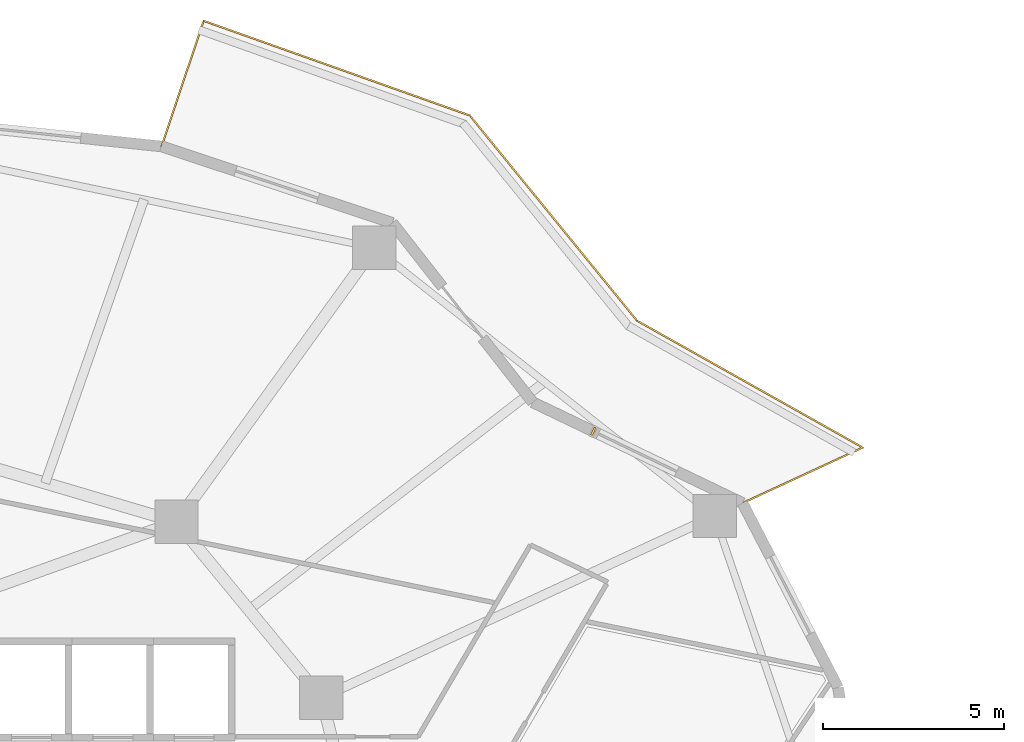
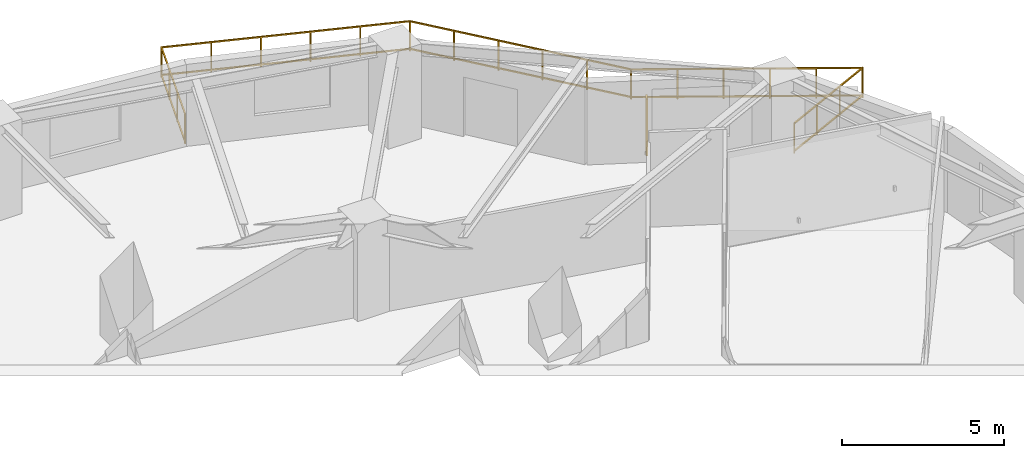
# One storey, part 14 of 14: 1 railing, 1 shading device.
"""IFC4 building model written with IfcOpenShell, lengths in metres."""

from ifc_helpers import new_model, si_unit, direction, frame, origin, origin_2d, place, context, subcontext, project, spatial, rectangle, extrude, material, type_object, element, save


model = new_model("IFC4")

# Units and contexts
model_context = context("Model", 3, precision=1e-05, world=origin(), true_north=direction((0.0, 1.0)))
body_context = subcontext(model_context, "Body", "Model", "MODEL_VIEW")
ifc_project = project(units=[si_unit("LENGTHUNIT", "METRE"), si_unit("AREAUNIT", "SQUARE_METRE"), si_unit("VOLUMEUNIT", "CUBIC_METRE"), si_unit("PLANEANGLEUNIT", "RADIAN"), si_unit("MASSUNIT", "GRAM", prefix="KILO")], contexts=[model_context])

# Site, building, storey
site_placement = place(None, origin())
site = spatial("IfcSite", under=ifc_project, at=site_placement, CompositionType="ELEMENT")
building_placement = place(site_placement, origin())
building = spatial("IfcBuilding", under=site, at=building_placement, Name="Kolvaren Gate Tower and Convention Centre", CompositionType="ELEMENT")
storey_placement = place(building_placement, frame((0.0, 0.0, 57.300048828125)))
storey = spatial("IfcBuildingStorey", under=building, at=storey_placement, Name="L13", CompositionType="ELEMENT", Elevation=57.300048828125)

# Railing
ifc_material_1 = material(Name="Brushed Stainless Steel Grade 316L", Category="steel")
railing_type = type_object("IfcRailingType", Name="ARCH-RL-GUARD-1150", PredefinedType="GUARDRAIL", material=ifc_material_1)
railing_placement = place(storey_placement, frame((53.0205078125, 37.574951171875, 0.0)))
element("IfcRailing", 1, at=railing_placement, inside=storey, type_object=railing_type, Name="Tower L13 Terrace Perimeter Guardrail GR-1", PredefinedType="GUARDRAIL", context=body_context, shape_type="SweptSolid", body=[
    extrude(rectangle(XDim=0.048095703125, YDim=0.048095703125, at=origin_2d()), frame((0.025390625, 0.01171875, 1.1259765625), z_axis=(0.907846116663, 0.419303503993, 0.0), x_axis=(-0.419303503993, 0.907846116663, 0.0)), (0.0, 0.0, 1.0), 3.60400390625),
    extrude(rectangle(XDim=0.048095703125, YDim=0.048095703125, at=origin_2d()), frame((0.025390625, 0.01171875, 0.083984375), z_axis=(0.907846116663, 0.419303503993, 0.0), x_axis=(-0.419303503993, 0.907846116663, 0.0)), (0.0, 0.0, 1.0), 3.60400390625),
    extrude(rectangle(XDim=0.048095703125, YDim=0.048095703125, at=origin_2d()), frame((3.29833984375, 1.54833984375, 1.1259765625), z_axis=(-0.871783301661, 0.489891697159, 0.0), x_axis=(-0.489891697159, -0.871783301661, 0.0)), (0.0, 0.0, 1.0), 7.096435546875),
    extrude(rectangle(XDim=0.048095703125, YDim=0.048095703125, at=origin_2d()), frame((3.29833984375, 1.54833984375, 0.083984375), z_axis=(-0.871783301661, 0.489891697159, 0.0), x_axis=(-0.489891697159, -0.871783301661, 0.0)), (0.0, 0.0, 1.0), 7.096435546875),
    extrude(rectangle(XDim=0.048095703125, YDim=0.048095703125, at=origin_2d()), frame((-2.930419921875, 5.060302734375, 1.1259765625), z_axis=(-0.631819273026, 0.775115737315, 0.0), x_axis=(-0.775115737315, -0.631819273026, 0.0)), (0.0, 0.0, 1.0), 7.259765625),
    extrude(rectangle(XDim=0.048095703125, YDim=0.048095703125, at=origin_2d()), frame((-2.930419921875, 5.060302734375, 0.083984375), z_axis=(-0.631819273026, 0.775115737315, 0.0), x_axis=(-0.775115737315, -0.631819273026, 0.0)), (0.0, 0.0, 1.0), 7.259765625),
    extrude(rectangle(XDim=0.048095703125, YDim=0.048095703125, at=origin_2d()), frame((-7.561279296875, 10.718505859375, 1.1259765625), z_axis=(-0.942200211781, 0.335050385643, 0.0), x_axis=(-0.335050385643, -0.942200211781, 0.0)), (0.0, 0.0, 1.0), 7.7509765625),
    extrude(rectangle(XDim=0.048095703125, YDim=0.048095703125, at=origin_2d()), frame((-7.561279296875, 10.718505859375, 0.083984375), z_axis=(-0.942200211781, 0.335050385643, 0.0), x_axis=(-0.335050385643, -0.942200211781, 0.0)), (0.0, 0.0, 1.0), 7.7509765625),
    extrude(rectangle(XDim=0.048095703125, YDim=0.048095703125, at=origin_2d()), frame((-14.8994140625, 13.29833984375, 1.1259765625), z_axis=(-0.317568160167, -0.94823544737, 0.0), x_axis=(0.94823544737, -0.317568160167, 0.0)), (0.0, 0.0, 1.0), 3.60400390625),
    extrude(rectangle(XDim=0.048095703125, YDim=0.048095703125, at=origin_2d()), frame((-14.8994140625, 13.29833984375, 0.083984375), z_axis=(-0.317568160167, -0.94823544737, 0.0), x_axis=(0.94823544737, -0.317568160167, 0.0)), (0.0, 0.0, 1.0), 3.60400390625),
    extrude(rectangle(XDim=0.0419921875, YDim=0.0419921875, at=origin_2d()), origin(), (0.0, 0.0, 1.0), 1.14990234375),
    extrude(rectangle(XDim=0.0419921875, YDim=0.0419921875, at=origin_2d()), frame((3.32275390625, 1.53466796875, 0.0)), (0.0, 0.0, 1.0), 1.14990234375),
    extrude(rectangle(XDim=0.0419921875, YDim=0.0419921875, at=origin_2d()), frame((1.107666015625, 0.511474609375, 0.0)), (0.0, 0.0, 1.0), 1.099853515625),
    extrude(rectangle(XDim=0.0419921875, YDim=0.0419921875, at=origin_2d()), frame((2.215087890625, 1.023193359375, 0.0)), (0.0, 0.0, 1.0), 1.099853515625),
    extrude(rectangle(XDim=0.0419921875, YDim=0.0419921875, at=origin_2d()), frame((-2.91259765625, 5.03857421875, 0.0)), (0.0, 0.0, 1.0), 1.14990234375),
    extrude(rectangle(XDim=0.0419921875, YDim=0.0419921875, at=origin_2d()), frame((2.07568359375, 2.2353515625, 0.0)), (0.0, 0.0, 1.0), 1.099853515625),
    extrude(rectangle(XDim=0.0419921875, YDim=0.0419921875, at=origin_2d()), frame((0.82861328125, 2.936279296875, 0.0)), (0.0, 0.0, 1.0), 1.099853515625),
    extrude(rectangle(XDim=0.0419921875, YDim=0.0419921875, at=origin_2d()), frame((-0.41845703125, 3.636962890625, 0.0)), (0.0, 0.0, 1.0), 1.099853515625),
    extrude(rectangle(XDim=0.0419921875, YDim=0.0419921875, at=origin_2d()), frame((-1.66552734375, 4.337890625, 0.0)), (0.0, 0.0, 1.0), 1.099853515625),
    extrude(rectangle(XDim=0.0419921875, YDim=0.0419921875, at=origin_2d()), frame((-7.534912109375, 10.709228515625, 0.0)), (0.0, 0.0, 1.0), 1.14990234375),
    extrude(rectangle(XDim=0.0419921875, YDim=0.0419921875, at=origin_2d()), frame((-3.837158203125, 6.172607421875, 0.0)), (0.0, 0.0, 1.0), 1.099853515625),
    extrude(rectangle(XDim=0.0419921875, YDim=0.0419921875, at=origin_2d()), frame((-4.761474609375, 7.306884765625, 0.0)), (0.0, 0.0, 1.0), 1.099853515625),
    extrude(rectangle(XDim=0.0419921875, YDim=0.0419921875, at=origin_2d()), frame((-5.68603515625, 8.44091796875, 0.0)), (0.0, 0.0, 1.0), 1.099853515625),
    extrude(rectangle(XDim=0.0419921875, YDim=0.0419921875, at=origin_2d()), frame((-6.6103515625, 9.5751953125, 0.0)), (0.0, 0.0, 1.0), 1.099853515625),
    extrude(rectangle(XDim=0.0419921875, YDim=0.0419921875, at=origin_2d()), frame((-14.890625, 13.324951171875, 0.0)), (0.0, 0.0, 1.0), 1.14990234375),
    extrude(rectangle(XDim=0.0419921875, YDim=0.0419921875, at=origin_2d()), frame((-9.006103515625, 11.232421875, 0.0)), (0.0, 0.0, 1.0), 1.099853515625),
    extrude(rectangle(XDim=0.0419921875, YDim=0.0419921875, at=origin_2d()), frame((-10.477294921875, 11.755615234375, 0.0)), (0.0, 0.0, 1.0), 1.099853515625),
    extrude(rectangle(XDim=0.0419921875, YDim=0.0419921875, at=origin_2d()), frame((-11.9482421875, 12.278564453125, 0.0)), (0.0, 0.0, 1.0), 1.099853515625),
    extrude(rectangle(XDim=0.0419921875, YDim=0.0419921875, at=origin_2d()), frame((-13.41943359375, 12.8017578125, 0.0)), (0.0, 0.0, 1.0), 1.099853515625),
    extrude(rectangle(XDim=0.0419921875, YDim=0.0419921875, at=origin_2d()), frame((-16.052978515625, 9.854248046875, 0.0)), (0.0, 0.0, 1.0), 1.14990234375),
    extrude(rectangle(XDim=0.0419921875, YDim=0.0419921875, at=origin_2d()), frame((-15.278076171875, 12.16796875, 0.0)), (0.0, 0.0, 1.0), 1.099853515625),
    extrude(rectangle(XDim=0.0419921875, YDim=0.0419921875, at=origin_2d()), frame((-15.66552734375, 11.01123046875, 0.0)), (0.0, 0.0, 1.0), 1.099853515625),
])

# Shading device
ifc_material_2 = material(Name="Kiln-Fired Bogota Terracotta Ceramic Louvre Profile", Category="masonry")
shading_device_type = type_object("IfcShadingDeviceType", Name="ARCH-SHD-FIN-180", PredefinedType="JALOUSIE", material=ifc_material_2)
shading_device_placement = place(storey_placement, frame((48.89599609375, 39.556640625, 0.219970703125), z_axis=(0.0, 0.0, 1.0), x_axis=(0.901357634097, -0.433075530889, 0.0)))
element("IfcShadingDevice", 2, at=shading_device_placement, inside=storey, type_object=shading_device_type, Name="Ceramic Vertical Brise-Soleil Fin FN-L13-02", PredefinedType="JALOUSIE", context=body_context, shape_type="SweptSolid", body=[
    extrude(rectangle(XDim=0.06005859375, YDim=0.239990234375, at=origin_2d()), origin(), (0.0, 0.0, 1.0), 2.14990234375),
])

save(model, "model.ifc")
